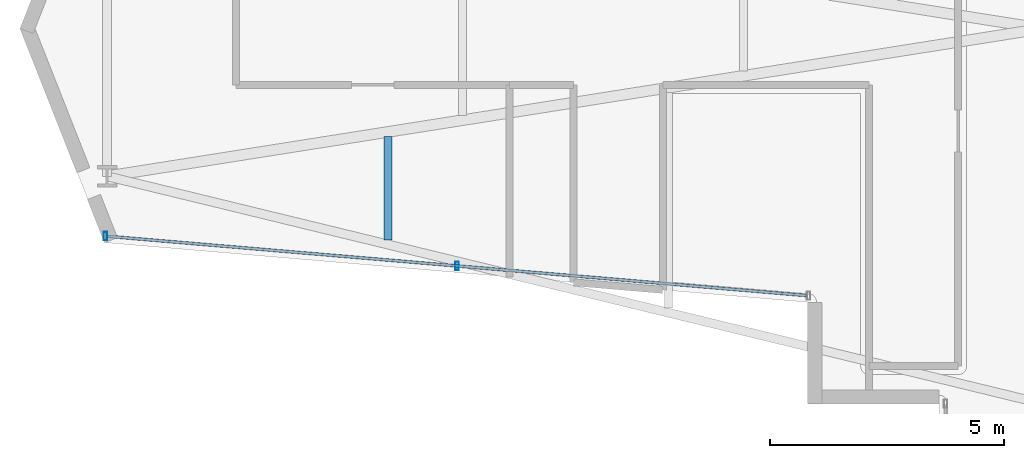
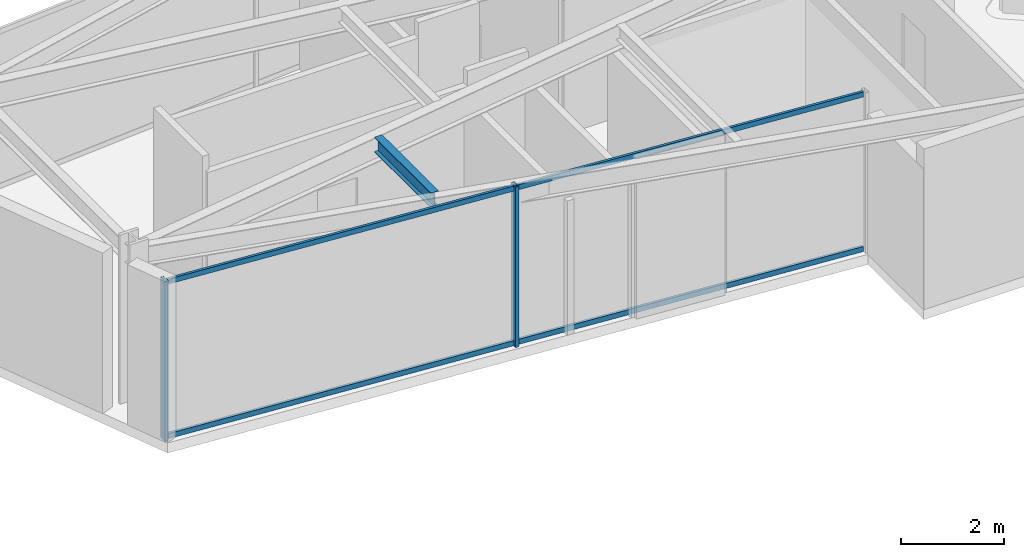
# One storey, part 2 of 25: 4 members, 1 beam, 1 element without a shape of its own.
"""IFC4 building model written with IfcOpenShell, lengths in metres."""

from ifc_helpers import new_model, si_unit, direction, frame, origin, origin_2d, place, context, subcontext, project, spatial, hollow_rectangle, i_section, extrude, material, layer, layer_set, material_profile, profile_set, type_object, element, aggregate, save


model = new_model("IFC4")

# Units and contexts
model_context = context("Model", 3, precision=1e-05, world=origin(), true_north=direction((0.0, 1.0)))
body_context = subcontext(model_context, "Body", "Model", "MODEL_VIEW")
ifc_project = project(units=[si_unit("LENGTHUNIT", "METRE"), si_unit("AREAUNIT", "SQUARE_METRE"), si_unit("VOLUMEUNIT", "CUBIC_METRE"), si_unit("PLANEANGLEUNIT", "RADIAN"), si_unit("MASSUNIT", "GRAM", prefix="KILO")], contexts=[model_context])

# Site, building, storey
site_placement = place(None, origin())
site = spatial("IfcSite", under=ifc_project, at=site_placement, CompositionType="ELEMENT")
building_placement = place(site_placement, origin())
building = spatial("IfcBuilding", under=site, at=building_placement, Name="Veymaron Broadcast Tower", CompositionType="ELEMENT")
storey_placement = place(building_placement, frame((0.0, 0.0, 145.199951171875)))
storey = spatial("IfcBuildingStorey", under=building, at=storey_placement, Name="L33", CompositionType="ELEMENT", Elevation=145.199951171875)

# Beam
ifc_material_1 = material(Name="Structural steel ASTM A992 Gr 50", Category="steel")
ifc_material_profile_1 = material_profile(ifc_material_1, i_section(OverallWidth=0.1708984375, OverallDepth=0.35498046875, WebThickness=0.007080078125, FlangeThickness=0.01171875, at=origin_2d()), Name="W360X51")
ifc_profile_set_1 = profile_set([ifc_material_profile_1], Name="Structural steel ASTM A992 Gr 50")
beam_type = type_object("IfcBeamType", Name="BM-JS2", PredefinedType="JOIST", material=ifc_profile_set_1)
beam_placement = place(storey_placement, frame((17.235107421875, 19.4951171875, 3.632568359375), z_axis=(0.0, 1.0, 0.0), x_axis=(-1.0, 0.0, 0.0)))
element("IfcBeam", 1, at=beam_placement, inside=storey, type_object=beam_type, Name="L33 Arm-A secondary joist 1S", PredefinedType="JOIST", context=body_context, shape_type="SweptSolid", body=[
    extrude(i_section(OverallWidth=0.1708984375, OverallDepth=0.35498046875, WebThickness=0.007080078125, FlangeThickness=0.01171875, at=origin_2d()), origin(), (0.0, 0.0, 1.0), 2.199951171875),
])

# Curtain wall, members
ifc_material_2 = material(Name="Anodised aluminium AA 6063-T6 and laminated low-E dark glass", Category="aluminium")
ifc_layer = layer(ifc_material_2, 0.179931640625)
ifc_layer_set = layer_set([ifc_layer], Name="Anodised aluminium AA 6063-T6 and laminated low-E dark glass")
curtain_wall_type = type_object("IfcCurtainWallType", Name="CW-SYS-03", PredefinedType="NOTDEFINED", material=ifc_layer_set)
curtain_wall_placement = place(storey_placement, origin())
curtain_wall = element("IfcCurtainWall", 2, at=curtain_wall_placement, inside=storey, type_object=curtain_wall_type, Name="L33 dark-glass curtain wall CW-L33-E14-1", PredefinedType="NOTDEFINED")
ifc_material_3 = material(Name="Anodised aluminium AA 6063-T6", Category="aluminium")
ifc_material_profile_2 = material_profile(ifc_material_3, hollow_rectangle(XDim=0.074951171875, YDim=0.179931640625, WallThickness=0.0048828125, at=origin_2d()), Name="AL180X75X5")
ifc_profile_set_2 = profile_set([ifc_material_profile_2], Name="Anodised aluminium AA 6063-T6")
member_type_1 = type_object("IfcMemberType", Name="CW-MUL-02", PredefinedType="MULLION", material=ifc_profile_set_2)
member_1_placement = place(storey_placement, frame((11.2119140625, 19.57373046875, 0.0), z_axis=(0.0, 0.0, 1.0), x_axis=(1.0, 0.0, 0.0)))
member_1 = element("IfcMember", 3, at=member_1_placement, type_object=member_type_1, Name="CW-L33-E14-1 mullion 0", PredefinedType="MULLION", context=body_context, shape_type="SweptSolid", body=[
    extrude(hollow_rectangle(XDim=0.074951171875, YDim=0.179931640625, WallThickness=0.0048828125, at=origin_2d()), origin(), (0.0, 0.0, 1.0), 3.81005859375),
])
member_2_placement = place(storey_placement, frame((18.7119140625, 18.937744140625, 0.0), z_axis=(0.0, 0.0, 1.0), x_axis=(1.0, 0.0, 0.0)))
member_2 = element("IfcMember", 4, at=member_2_placement, type_object=member_type_1, Name="CW-L33-E14-1 mullion 1", PredefinedType="MULLION", context=body_context, shape_type="SweptSolid", body=[
    extrude(hollow_rectangle(XDim=0.074951171875, YDim=0.179931640625, WallThickness=0.0048828125, at=origin_2d()), origin(), (0.0, 0.0, 1.0), 3.81005859375),
])
ifc_material_profile_3 = material_profile(ifc_material_3, hollow_rectangle(XDim=0.06005859375, YDim=0.1201171875, WallThickness=0.00390625, at=origin_2d()), Name="AL120X60X4")
ifc_profile_set_3 = profile_set([ifc_material_profile_3], Name="Anodised aluminium AA 6063-T6")
member_type_2 = type_object("IfcMemberType", Name="CW-TRN-02", PredefinedType="USERDEFINED", material=ifc_profile_set_3)
member_3_placement = place(storey_placement, frame((11.26171875, 19.569580078125, 0.070068359375), z_axis=(0.99642308754, -0.084504618907, 0.0), x_axis=(0.084504618907, 0.99642308754, 0.0)))
member_3 = element("IfcMember", 5, at=member_3_placement, type_object=member_type_2, Name="CW-L33-E14-1 transom B", ObjectType="TRANSOM", PredefinedType="USERDEFINED", context=body_context, shape_type="SweptSolid", body=[
    extrude(hollow_rectangle(XDim=0.06005859375, YDim=0.1201171875, WallThickness=0.00390625, at=origin_2d()), origin(), (0.0, 0.0, 1.0), 14.953857421875),
])
member_4_placement = place(storey_placement, frame((11.26171875, 19.569580078125, 3.739990234375), z_axis=(0.99642308754, -0.084504618907, 0.0), x_axis=(0.084504618907, 0.99642308754, 0.0)))
member_4 = element("IfcMember", 6, at=member_4_placement, type_object=member_type_2, Name="CW-L33-E14-1 transom T", ObjectType="TRANSOM", PredefinedType="USERDEFINED", context=body_context, shape_type="SweptSolid", body=[
    extrude(hollow_rectangle(XDim=0.06005859375, YDim=0.1201171875, WallThickness=0.00390625, at=origin_2d()), origin(), (0.0, 0.0, 1.0), 14.953857421875),
])
aggregate(curtain_wall, [member_1, member_2, member_3, member_4])

save(model, "model.ifc")
